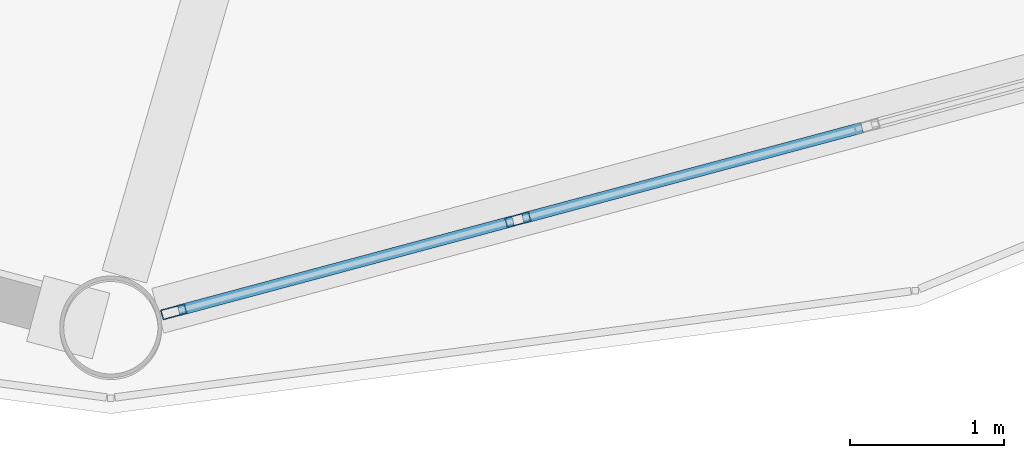
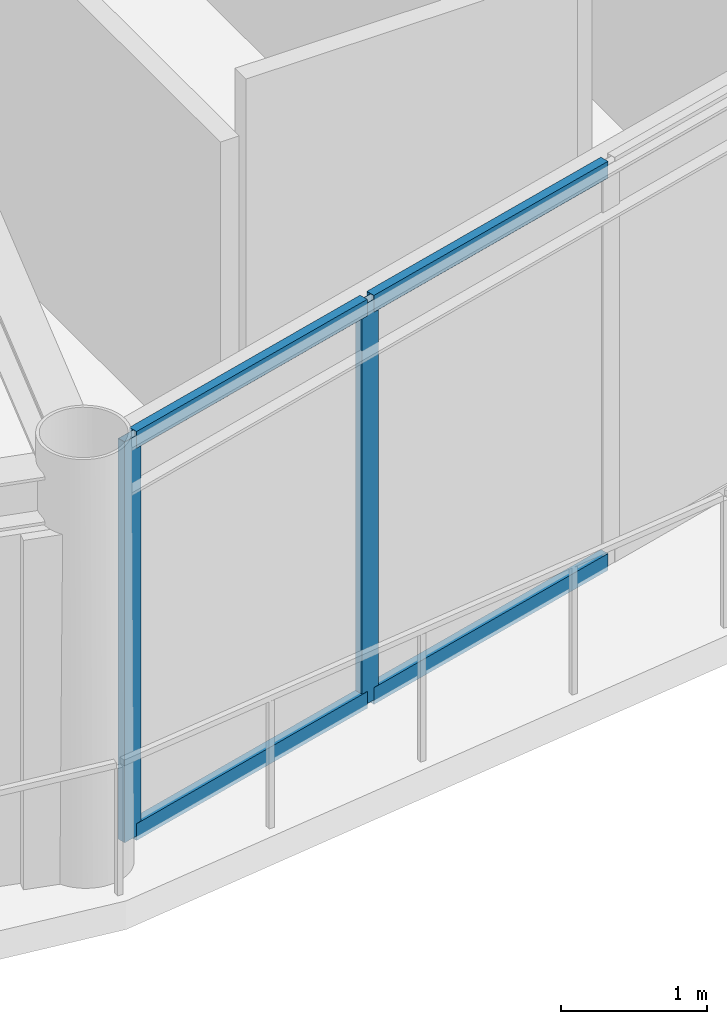
# One storey, part 7 of 29: 6 members, 1 element without a shape of its own.
"""IFC4 building model written with IfcOpenShell, lengths in metres."""

from ifc_helpers import new_model, si_unit, direction, frame, origin, origin_2d, place, context, subcontext, project, spatial, hollow_rectangle, extrude, material, layer, layer_set, material_profile, profile_set, type_object, element, aggregate, save


model = new_model("IFC4")

# Units and contexts
model_context = context("Model", 3, precision=1e-05, world=origin(), true_north=direction((0.0, 1.0)))
body_context = subcontext(model_context, "Body", "Model", "MODEL_VIEW")
ifc_project = project(units=[si_unit("LENGTHUNIT", "METRE"), si_unit("AREAUNIT", "SQUARE_METRE"), si_unit("VOLUMEUNIT", "CUBIC_METRE"), si_unit("PLANEANGLEUNIT", "RADIAN"), si_unit("MASSUNIT", "GRAM", prefix="KILO")], contexts=[model_context])

# Site, building, storey
site_placement = place(None, origin())
site = spatial("IfcSite", under=ifc_project, at=site_placement, CompositionType="ELEMENT")
building_placement = place(site_placement, origin())
building = spatial("IfcBuilding", under=site, at=building_placement, Name="Varnakorn Sky Granary", CompositionType="ELEMENT")
storey_placement = place(building_placement, frame((0.0, 0.0, 182.39990234375)))
storey = spatial("IfcBuildingStorey", under=building, at=storey_placement, Name="L45", CompositionType="ELEMENT", Elevation=182.39990234375)

# Curtain wall, members
ifc_material = material(Name="Anodised Bronze Aluminium Alloy 6063-T6", Category="aluminium")
ifc_layer = layer(ifc_material, 0.169921875, Name="Anodised Bronze Aluminium Alloy 6063-T6")
ifc_layer_set = layer_set([ifc_layer], Name="Anodised Bronze Aluminium Alloy 6063-T6")
curtain_wall_type = type_object("IfcCurtainWallType", Name="CW-LAB-1", PredefinedType="USERDEFINED", material=ifc_layer_set)
curtain_wall_placement = place(storey_placement, origin())
curtain_wall = element("IfcCurtainWall", 1, at=curtain_wall_placement, inside=storey, type_object=curtain_wall_type, Name="Unitised Curtain Wall CW5 CW-L45-B10", ObjectType="CURTAIN WALL", PredefinedType="USERDEFINED")
ifc_material_profile_1 = material_profile(ifc_material, hollow_rectangle(XDim=0.06494140625, YDim=0.159912109375, WallThickness=0.00341796875, at=origin_2d()), Name="ALU MULL 65x160")
ifc_profile_set_1 = profile_set([ifc_material_profile_1], Name="Anodised Bronze Aluminium Alloy 6063-T6")
member_type_1 = type_object("IfcMemberType", Name="CW-LAB-1-MULL", PredefinedType="MULLION", material=ifc_profile_set_1)
member_1_placement = place(storey_placement, frame((7.48583984375, -17.9765625, 0.0), z_axis=(0.0, 0.0, 1.0), x_axis=(0.25850488691, -0.966009949971, 0.0)))
member_1 = element("IfcMember", 2, at=member_1_placement, type_object=member_type_1, Name="CW5 mullion 4", PredefinedType="MULLION", context=body_context, shape_type="SweptSolid", body=[
    extrude(hollow_rectangle(XDim=0.06494140625, YDim=0.159912109375, WallThickness=0.00341796875, at=origin_2d()), origin(), (0.0, 0.0, 1.0), 3.360107421875),
])
member_2_placement = place(storey_placement, frame((5.258056640625, -18.57275390625, 0.0), z_axis=(0.0, 0.0, 1.0), x_axis=(0.25850488691, -0.966009949971, 0.0)))
member_2 = element("IfcMember", 3, at=member_2_placement, type_object=member_type_1, Name="CW5 mullion 5", PredefinedType="MULLION", context=body_context, shape_type="SweptSolid", body=[
    extrude(hollow_rectangle(XDim=0.06494140625, YDim=0.159912109375, WallThickness=0.00341796875, at=origin_2d()), origin(), (0.0, 0.0, 1.0), 3.360107421875),
])
ifc_material_profile_2 = material_profile(ifc_material, hollow_rectangle(XDim=0.070068359375, YDim=0.139892578125, WallThickness=0.00341796875, at=origin_2d()), Name="ALU TRAN 70x140")
ifc_profile_set_2 = profile_set([ifc_material_profile_2], Name="Anodised Bronze Aluminium Alloy 6063-T6")
member_type_2 = type_object("IfcMemberType", Name="CW-LAB-1-TRAN", PredefinedType="USERDEFINED", material=ifc_profile_set_2)
member_3_placement = place(storey_placement, frame((9.713623046875, -17.380615234375, 0.03515625), z_axis=(-0.966018943689, -0.25847127584, 0.0), x_axis=(0.25847127584, -0.966018943689, 0.0)))
member_3 = element("IfcMember", 4, at=member_3_placement, type_object=member_type_2, Name="CW5 transom 3.1", ObjectType="TRANSOM", PredefinedType="USERDEFINED", context=body_context, shape_type="SweptSolid", body=[
    extrude(hollow_rectangle(XDim=0.070068359375, YDim=0.139892578125, WallThickness=0.00341796875, at=origin_2d()), origin(), (0.0, 0.0, 1.0), 2.2734375),
])
member_4_placement = place(storey_placement, frame((9.713623046875, -17.380615234375, 3.3251953125), z_axis=(-0.966018943689, -0.25847127584, 0.0), x_axis=(0.25847127584, -0.966018943689, 0.0)))
member_4 = element("IfcMember", 5, at=member_4_placement, type_object=member_type_2, Name="CW5 transom 3.2", ObjectType="TRANSOM", PredefinedType="USERDEFINED", context=body_context, shape_type="SweptSolid", body=[
    extrude(hollow_rectangle(XDim=0.070068359375, YDim=0.139892578125, WallThickness=0.00341796875, at=origin_2d()), origin(), (0.0, 0.0, 1.0), 2.2734375),
])
member_5_placement = place(storey_placement, frame((7.454345703125, -17.985107421875, 0.03515625), z_axis=(-0.966004914921, -0.258523701715, 0.0), x_axis=(0.258523701715, -0.966004914921, 0.0)))
member_5 = element("IfcMember", 6, at=member_5_placement, type_object=member_type_2, Name="CW5 transom 4.1", ObjectType="TRANSOM", PredefinedType="USERDEFINED", context=body_context, shape_type="SweptSolid", body=[
    extrude(hollow_rectangle(XDim=0.070068359375, YDim=0.139892578125, WallThickness=0.00341796875, at=origin_2d()), origin(), (0.0, 0.0, 1.0), 2.240966796875),
])
member_6_placement = place(storey_placement, frame((7.454345703125, -17.985107421875, 3.3251953125), z_axis=(-0.966004914921, -0.258523701715, 0.0), x_axis=(0.258523701715, -0.966004914921, 0.0)))
member_6 = element("IfcMember", 7, at=member_6_placement, type_object=member_type_2, Name="CW5 transom 4.2", ObjectType="TRANSOM", PredefinedType="USERDEFINED", context=body_context, shape_type="SweptSolid", body=[
    extrude(hollow_rectangle(XDim=0.070068359375, YDim=0.139892578125, WallThickness=0.00341796875, at=origin_2d()), origin(), (0.0, 0.0, 1.0), 2.240966796875),
])
aggregate(curtain_wall, [member_1, member_2, member_3, member_4, member_5, member_6])

save(model, "model.ifc")
